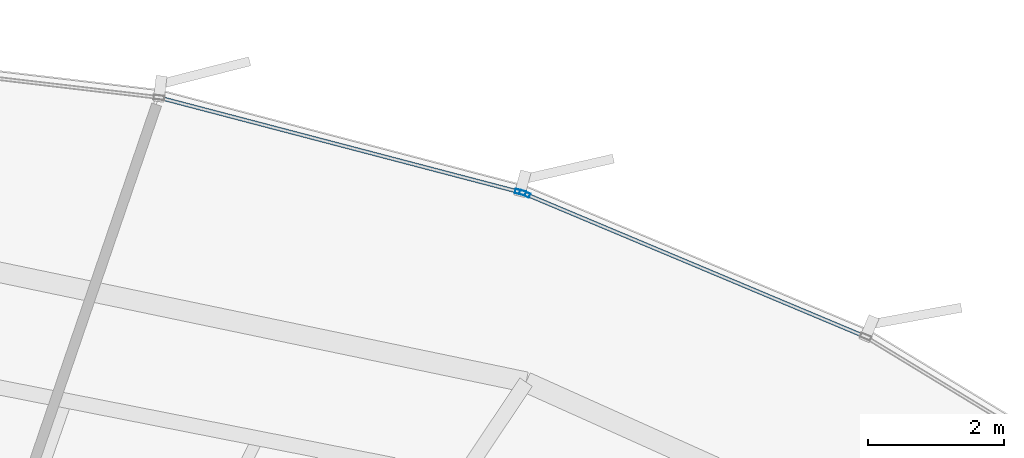
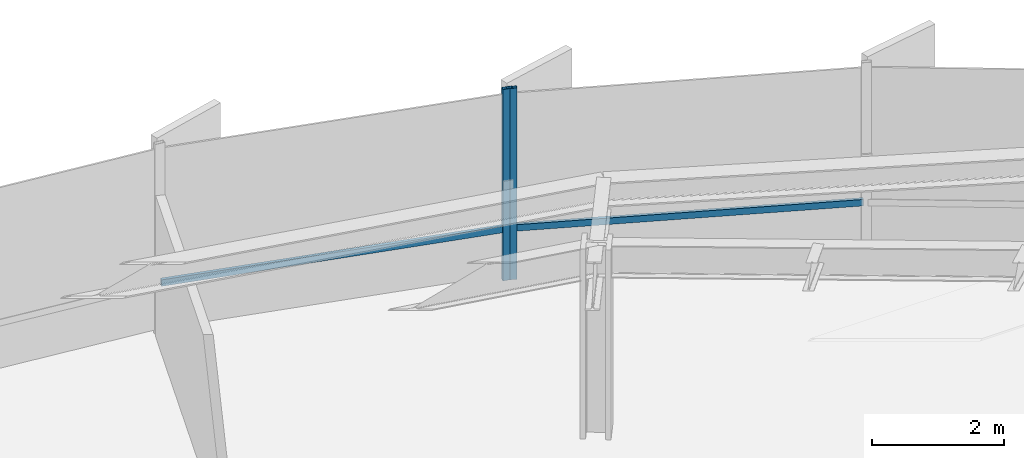
# One storey, part 28 of 38: 4 members, 2 elements without a shape of their own.
"""IFC4 building model written with IfcOpenShell, lengths in metres."""

from ifc_helpers import new_model, si_unit, direction, frame, origin, origin_2d, place, context, subcontext, project, spatial, hollow_rectangle, extrude, source, transform, mapped, material, layer, layer_set, material_profile, profile_set, type_object, element, aggregate, save


model = new_model("IFC4")

# Units and contexts
model_context = context("Model", 3, precision=1e-05, world=origin(), true_north=direction((0.0, 1.0)))
body_context = subcontext(model_context, "Body", "Model", "MODEL_VIEW")
ifc_project = project(units=[si_unit("LENGTHUNIT", "METRE"), si_unit("AREAUNIT", "SQUARE_METRE"), si_unit("VOLUMEUNIT", "CUBIC_METRE"), si_unit("PLANEANGLEUNIT", "RADIAN"), si_unit("MASSUNIT", "GRAM", prefix="KILO"), si_unit("THERMODYNAMICTEMPERATUREUNIT", "KELVIN")], contexts=[model_context])

# Site, building, storey
site_placement = place(None, origin())
site = spatial("IfcSite", under=ifc_project, at=site_placement, CompositionType="ELEMENT")
building_placement = place(site_placement, origin())
building = spatial("IfcBuilding", under=site, at=building_placement, Name="Kethvar Cultural Tower", CompositionType="ELEMENT")
storey_placement = place(building_placement, frame((0.0, 0.0, 52.39990234375)))
storey = spatial("IfcBuildingStorey", under=building, at=storey_placement, Name="L12", CompositionType="ELEMENT", Elevation=52.39990234375)

# Curtain wall, member
ifc_material = material(Name="Aluminium 6063-T6", Category="aluminium")
ifc_layer = layer(ifc_material, 0.179931640625, Name="Aluminium 6063-T6", Category="aluminium")
ifc_layer_set = layer_set([ifc_layer], Name="Aluminium 6063-T6 (180 mm)")
curtain_wall_type = type_object("IfcCurtainWallType", Name="CW-SYS-02-Z1", PredefinedType="NOTDEFINED", material=ifc_layer_set)
curtain_wall_1_placement = place(storey_placement, origin())
curtain_wall_1 = element("IfcCurtainWall", 1, at=curtain_wall_1_placement, inside=storey, type_object=curtain_wall_type, Name="L12 Curtain Wall Run 01", PredefinedType="NOTDEFINED")
ifc_material_profile_1 = material_profile(ifc_material, hollow_rectangle(XDim=0.06494140625, YDim=0.159912109375, WallThickness=0.0048828125, at=origin_2d()), Name="Aluminium 6063-T6 — RHS160x65x5")
ifc_profile_set_1 = profile_set([ifc_material_profile_1], Name="Aluminium 6063-T6 — RHS160x65x5")
member_type_1 = type_object("IfcMemberType", Name="CW-SYS-02-Z1-MUL", PredefinedType="MULLION", material=ifc_profile_set_1)
shared_shape_1 = source(origin(), body_context, "Body", "SweptSolid", [
    extrude(hollow_rectangle(XDim=0.06494140625, YDim=0.159912109375, WallThickness=0.0048828125, at=origin_2d()), origin(), (0.0, 0.0, 1.0), 3.550048828125),
])
member_1_placement = place(storey_placement, frame((60.75048828125, 51.476806640625, 0.0), z_axis=(0.0, 0.0, 1.0), x_axis=(-0.386984567147, -0.922086191627, 0.0)))
member_1 = element("IfcMember", 2, at=member_1_placement, type_object=member_type_1, Name="CW-L12-R01 Mullion 7", PredefinedType="MULLION", context=body_context, shape_type="MappedRepresentation", body=[
    mapped(shared_shape_1, transform((0.0, 0.0, 0.0), scale=1.0)),
])

curtain_wall_2_placement = place(storey_placement, origin())
curtain_wall_2 = element("IfcCurtainWall", 3, at=curtain_wall_2_placement, inside=storey, type_object=curtain_wall_type, Name="L12 Curtain Wall Run 02", PredefinedType="NOTDEFINED")
member_2_placement = place(storey_placement, frame((60.686767578125, 51.498291015625, 0.0), z_axis=(0.0, 0.0, 1.0), x_axis=(-0.253437172505, -0.967351848912, 0.0)))
member_2 = element("IfcMember", 4, at=member_2_placement, type_object=member_type_1, Name="CW-L12-R02 Mullion 1", PredefinedType="MULLION", context=body_context, shape_type="MappedRepresentation", body=[
    mapped(shared_shape_1, transform((0.0, 0.0, 0.0), scale=1.0)),
])

# Member
ifc_material_profile_2 = material_profile(ifc_material, hollow_rectangle(XDim=0.054931640625, YDim=0.1201171875, WallThickness=0.00390625, at=origin_2d()), Name="Aluminium 6063-T6 — RHS120x55x4")
ifc_profile_set_2 = profile_set([ifc_material_profile_2], Name="Aluminium 6063-T6 — RHS120x55x4")
member_type_2 = type_object("IfcMemberType", Name="CW-SYS-02-Z1-TRN", PredefinedType="USERDEFINED", material=ifc_profile_set_2)
shared_shape_2 = source(origin(), body_context, "Body", "SweptSolid", [
    extrude(hollow_rectangle(XDim=0.054931640625, YDim=0.1201171875, WallThickness=0.00390625, at=origin_2d()), origin(), (0.0, 0.0, 1.0), 5.381103515625),
])
member_3_placement = place(storey_placement, frame((65.716552734375, 49.392578125, 0.9501953125), z_axis=(-0.922096747063, 0.386959415258, 0.0), x_axis=(-0.386959415258, -0.922096747063, 0.0)))
member_3 = element("IfcMember", 5, at=member_3_placement, type_object=member_type_2, Name="CW-L12-R01 Transom 6", ObjectType="TRANSOM", PredefinedType="USERDEFINED", context=body_context, shape_type="MappedRepresentation", body=[
    mapped(shared_shape_2, transform((0.0, 0.0, 0.0), scale=1.0)),
])

aggregate(curtain_wall_1, [member_1, member_3])

shared_shape_3 = source(origin(), body_context, "Body", "SweptSolid", [
    extrude(hollow_rectangle(XDim=0.054931640625, YDim=0.1201171875, WallThickness=0.00390625, at=origin_2d()), origin(), (0.0, 0.0, 1.0), 5.4521484375),
])
member_4_placement = place(storey_placement, frame((60.682373046875, 51.49951171875, 0.9501953125), z_axis=(-0.967349485797, 0.253446192177, 0.0), x_axis=(-0.253446192177, -0.967349485797, 0.0)))
member_4 = element("IfcMember", 6, at=member_4_placement, type_object=member_type_2, Name="CW-L12-R02 Transom 1", ObjectType="TRANSOM", PredefinedType="USERDEFINED", context=body_context, shape_type="MappedRepresentation", body=[
    mapped(shared_shape_3, transform((0.0, 0.0, 0.0), scale=1.0)),
])

aggregate(curtain_wall_2, [member_2, member_4])

save(model, "model.ifc")
